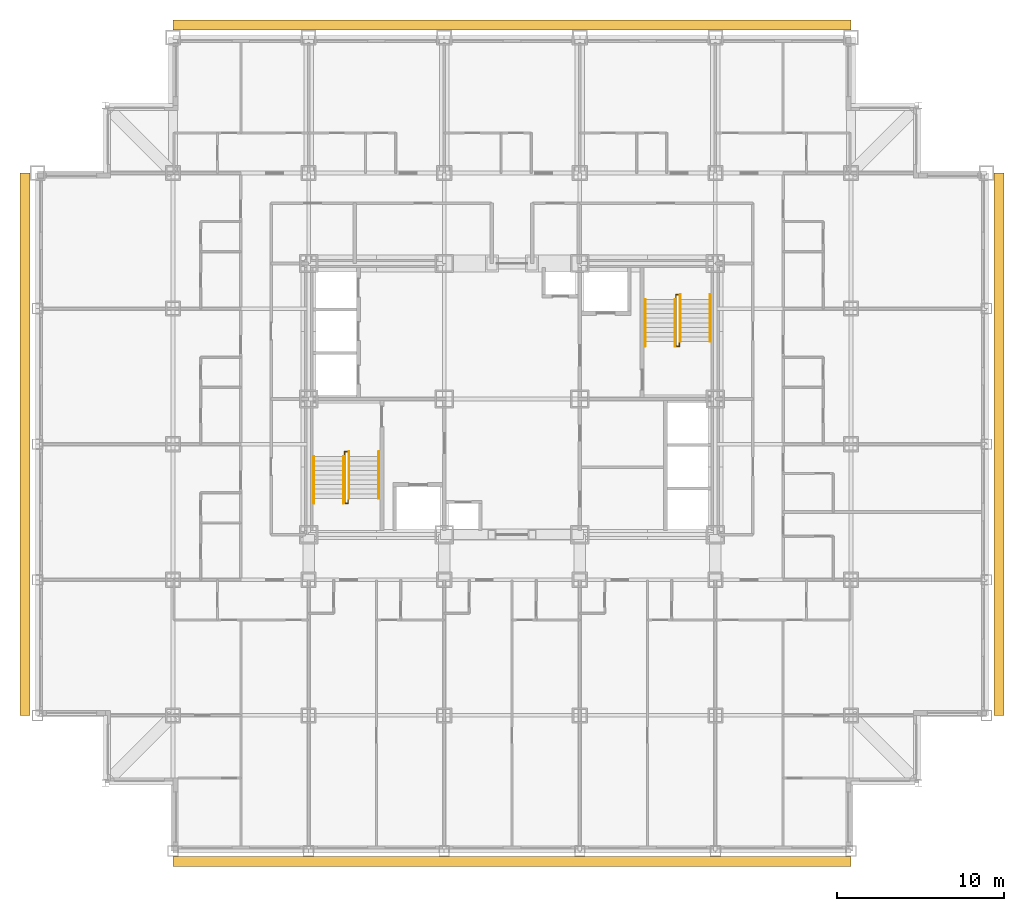
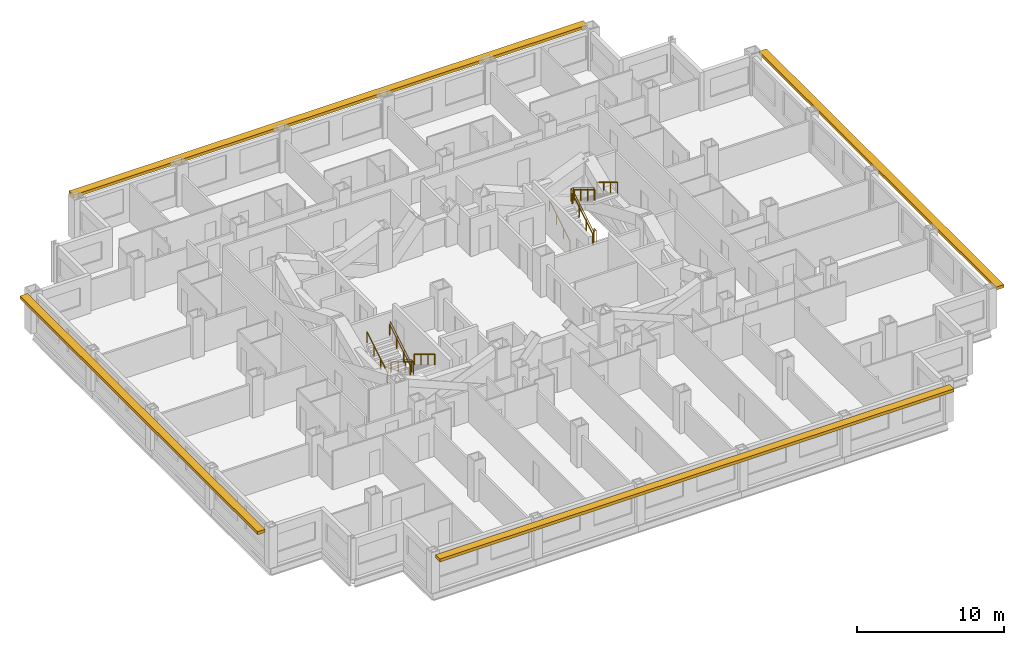
# One storey, part 12 of 12: 10 railings, 4 shading devices.
"""IFC4 building model written with IfcOpenShell, lengths in metres."""

from ifc_helpers import new_model, si_unit, direction, frame, origin, origin_2d, place, context, subcontext, project, spatial, rectangle, circle, extrude, material, type_object, element, save


model = new_model("IFC4")

# Units and contexts
model_context = context("Model", 3, precision=1e-05, world=origin(), true_north=direction((0.0, 1.0)))
body_context = subcontext(model_context, "Body", "Model", "MODEL_VIEW")
ifc_project = project(units=[si_unit("LENGTHUNIT", "METRE"), si_unit("AREAUNIT", "SQUARE_METRE"), si_unit("VOLUMEUNIT", "CUBIC_METRE"), si_unit("PLANEANGLEUNIT", "RADIAN"), si_unit("MASSUNIT", "GRAM", prefix="KILO")], contexts=[model_context])

# Site, building, storey
site_placement = place(None, origin())
site = spatial("IfcSite", under=ifc_project, at=site_placement, CompositionType="ELEMENT")
building_placement = place(site_placement, origin())
building = spatial("IfcBuilding", under=site, at=building_placement, Name="Kopane Lantern Tower", CompositionType="ELEMENT")
storey_placement = place(building_placement, frame((0.0, 0.0, 106.800048828125)))
storey = spatial("IfcBuildingStorey", under=building, at=storey_placement, Name="L26", CompositionType="ELEMENT", Elevation=106.800048828125)

# Railings
ifc_material_1 = material(Name="Steel", Category="steel")
railing_type_1 = type_object("IfcRailingType", Name="STAIR GUARD 1100", PredefinedType="GUARDRAIL", material=ifc_material_1)
railing_1_placement = place(storey_placement, frame((18.35009765625, 28.969970703125, 0.0)))
element("IfcRailing", 1, at=railing_1_placement, inside=storey, type_object=railing_type_1, Name="ST1 well guard L26", PredefinedType="GUARDRAIL", context=body_context, shape_type="SweptSolid", body=[
    extrude(circle(Radius=0.02392578125, at=origin_2d()), frame((0.0, 0.0, 1.076171875), z_axis=(0.0, 1.0, 0.0), x_axis=(-1.0, 0.0, 0.0)), (0.0, 0.0, 1.0), 0.280029296875),
    extrude(circle(Radius=0.02392578125, at=origin_2d()), frame((0.0, 0.280029296875, 1.076171875), z_axis=(1.0, 0.0, 0.0), x_axis=(0.0, 1.0, 0.0)), (0.0, 0.0, 1.0), 0.199951171875),
    extrude(circle(Radius=0.02392578125, at=origin_2d()), frame((0.199951171875, 0.280029296875, 1.076171875), z_axis=(0.0, -0.854798142509, 0.518960630071), x_axis=(1.0, 0.0, 0.0)), (0.0, 0.0, 1.0), 3.275634765625),
    extrude(circle(Radius=0.02392578125, at=origin_2d()), frame((0.199951171875, -2.52001953125, 2.77587890625), z_axis=(0.0, -1.0, 0.0), x_axis=(1.0, 0.0, 0.0)), (0.0, 0.0, 1.0), 0.280029296875),
    extrude(circle(Radius=0.02392578125, at=origin_2d()), frame((0.199951171875, -2.800048828125, 2.77587890625), z_axis=(-1.0, 0.0, 0.0), x_axis=(0.0, -1.0, 0.0)), (0.0, 0.0, 1.0), 0.199951171875),
    extrude(circle(Radius=0.02392578125, at=origin_2d()), frame((0.0, -2.800048828125, 2.77587890625), z_axis=(0.0, 0.854798142509, 0.518960630071), x_axis=(-1.0, 0.0, 0.0)), (0.0, 0.0, 1.0), 3.275634765625),
    extrude(circle(Radius=0.02099609375, at=origin_2d()), origin(), (0.0, 0.0, 1.0), 1.052001953125),
    extrude(circle(Radius=0.02099609375, at=origin_2d()), frame((0.0, 0.280029296875, 0.0)), (0.0, 0.0, 1.0), 1.052001953125),
    extrude(circle(Radius=0.02099609375, at=origin_2d()), frame((0.199951171875, 0.280029296875, 0.0)), (0.0, 0.0, 1.0), 1.052001953125),
    extrude(circle(Radius=0.02099609375, at=origin_2d()), frame((0.199951171875, -0.6533203125, 0.566650390625)), (0.0, 0.0, 1.0), 1.052001953125),
    extrude(circle(Radius=0.02099609375, at=origin_2d()), frame((0.199951171875, -1.586669921875, 1.13330078125)), (0.0, 0.0, 1.0), 1.052001953125),
    extrude(circle(Radius=0.02099609375, at=origin_2d()), frame((0.199951171875, -2.52001953125, 1.699951171875)), (0.0, 0.0, 1.0), 1.052001953125),
    extrude(circle(Radius=0.02099609375, at=origin_2d()), frame((0.199951171875, -2.800048828125, 1.699951171875)), (0.0, 0.0, 1.0), 1.052001953125),
    extrude(circle(Radius=0.02099609375, at=origin_2d()), frame((0.0, -2.800048828125, 1.699951171875)), (0.0, 0.0, 1.0), 1.052001953125),
    extrude(circle(Radius=0.02099609375, at=origin_2d()), frame((0.0, -1.86669921875, 2.2666015625)), (0.0, 0.0, 1.0), 1.052001953125),
    extrude(circle(Radius=0.02099609375, at=origin_2d()), frame((0.0, -0.933349609375, 2.833251953125)), (0.0, 0.0, 1.0), 1.052001953125),
    extrude(circle(Radius=0.02099609375, at=origin_2d()), frame((0.0, 0.0, 3.39990234375)), (0.0, 0.0, 1.0), 1.052001953125),
])
railing_2_placement = place(storey_placement, frame((38.35009765625, 35.830078125, 0.0)))
element("IfcRailing", 2, at=railing_2_placement, inside=storey, type_object=railing_type_1, Name="ST2 well guard L26", PredefinedType="GUARDRAIL", context=body_context, shape_type="SweptSolid", body=[
    extrude(circle(Radius=0.02392578125, at=origin_2d()), frame((0.0, 0.0, 1.076171875), z_axis=(0.0, -1.0, 0.0), x_axis=(1.0, 0.0, 0.0)), (0.0, 0.0, 1.0), 0.280029296875),
    extrude(circle(Radius=0.02392578125, at=origin_2d()), frame((0.0, -0.280029296875, 1.076171875), z_axis=(-1.0, 0.0, 0.0), x_axis=(0.0, -1.0, 0.0)), (0.0, 0.0, 1.0), 0.2001953125),
    extrude(circle(Radius=0.02392578125, at=origin_2d()), frame((-0.2001953125, -0.280029296875, 1.076171875), z_axis=(0.0, 0.854798142509, 0.518960630071), x_axis=(-1.0, 0.0, 0.0)), (0.0, 0.0, 1.0), 3.275634765625),
    extrude(circle(Radius=0.02392578125, at=origin_2d()), frame((-0.2001953125, 2.52001953125, 2.77587890625), z_axis=(0.0, 1.0, 0.0), x_axis=(-1.0, 0.0, 0.0)), (0.0, 0.0, 1.0), 0.27978515625),
    extrude(circle(Radius=0.02392578125, at=origin_2d()), frame((-0.2001953125, 2.7998046875, 2.77587890625), z_axis=(1.0, 0.0, 0.0), x_axis=(0.0, 1.0, 0.0)), (0.0, 0.0, 1.0), 0.2001953125),
    extrude(circle(Radius=0.02392578125, at=origin_2d()), frame((0.0, 2.7998046875, 2.77587890625), z_axis=(0.0, -0.854778067842, 0.518993694313), x_axis=(1.0, 0.0, 0.0)), (0.0, 0.0, 1.0), 3.275390625),
    extrude(circle(Radius=0.02099609375, at=origin_2d()), origin(), (0.0, 0.0, 1.0), 1.052001953125),
    extrude(circle(Radius=0.02099609375, at=origin_2d()), frame((0.0, -0.280029296875, 0.0)), (0.0, 0.0, 1.0), 1.052001953125),
    extrude(circle(Radius=0.02099609375, at=origin_2d()), frame((-0.2001953125, -0.280029296875, 0.0)), (0.0, 0.0, 1.0), 1.052001953125),
    extrude(circle(Radius=0.02099609375, at=origin_2d()), frame((-0.2001953125, 0.6533203125, 0.566650390625)), (0.0, 0.0, 1.0), 1.052001953125),
    extrude(circle(Radius=0.02099609375, at=origin_2d()), frame((-0.2001953125, 1.586669921875, 1.13330078125)), (0.0, 0.0, 1.0), 1.052001953125),
    extrude(circle(Radius=0.02099609375, at=origin_2d()), frame((-0.2001953125, 2.52001953125, 1.699951171875)), (0.0, 0.0, 1.0), 1.052001953125),
    extrude(circle(Radius=0.02099609375, at=origin_2d()), frame((-0.2001953125, 2.7998046875, 1.699951171875)), (0.0, 0.0, 1.0), 1.052001953125),
    extrude(circle(Radius=0.02099609375, at=origin_2d()), frame((0.0, 2.7998046875, 1.699951171875)), (0.0, 0.0, 1.0), 1.052001953125),
    extrude(circle(Radius=0.02099609375, at=origin_2d()), frame((0.0, 1.866455078125, 2.2666015625)), (0.0, 0.0, 1.0), 1.052001953125),
    extrude(circle(Radius=0.02099609375, at=origin_2d()), frame((0.0, 0.933349609375, 2.833251953125)), (0.0, 0.0, 1.0), 1.052001953125),
    extrude(circle(Radius=0.02099609375, at=origin_2d()), frame((0.0, 0.0, 3.39990234375)), (0.0, 0.0, 1.0), 1.052001953125),
])
ifc_material_2 = material(Name="Steel", Category="steel")
railing_type_2 = type_object("IfcRailingType", Name="STAIR HANDRAIL 900", PredefinedType="HANDRAIL", material=ifc_material_2)
for number, where, name in (
    (3, (20.389892578125, 29.25, 0.0), "ST1 handrail L26 flight 1"),
    (4, (18.610107421875, 29.25, 0.0), "ST1 handrail L26 flight 1"),
):
    element("IfcRailing", number, at=place(storey_placement, frame(where)), inside=storey, type_object=railing_type_2, Name=name, PredefinedType="HANDRAIL", context=body_context, shape_type="SweptSolid", body=[
        extrude(circle(Radius=0.02392578125, at=origin_2d()), frame((0.0, 0.0, 0.8759765625), z_axis=(0.0, -0.854798142509, 0.518960630071), x_axis=(1.0, 0.0, 0.0)), (0.0, 0.0, 1.0), 3.275634765625),
        extrude(circle(Radius=0.02099609375, at=origin_2d()), origin(), (0.0, 0.0, 1.0), 0.851806640625),
        extrude(circle(Radius=0.02099609375, at=origin_2d()), frame((0.0, -0.933349609375, 0.566650390625)), (0.0, 0.0, 1.0), 0.851806640625),
        extrude(circle(Radius=0.02099609375, at=origin_2d()), frame((0.0, -1.86669921875, 1.13330078125)), (0.0, 0.0, 1.0), 0.851806640625),
        extrude(circle(Radius=0.02099609375, at=origin_2d()), frame((0.0, -2.800048828125, 1.699951171875)), (0.0, 0.0, 1.0), 0.851806640625),
    ])
for number, where, name in (
    (5, (16.510009765625, 26.169921875, 1.699951171875), "ST1 handrail L26 flight 2"),
    (6, (18.2900390625, 26.169921875, 1.699951171875), "ST1 handrail L26 flight 2"),
    (7, (36.31005859375, 35.550048828125, 0.0), "ST2 handrail L26 flight 1"),
    (8, (38.090087890625, 35.550048828125, 0.0), "ST2 handrail L26 flight 1"),
):
    element("IfcRailing", number, at=place(storey_placement, frame(where)), inside=storey, type_object=railing_type_2, Name=name, PredefinedType="HANDRAIL", context=body_context, shape_type="SweptSolid", body=[
        extrude(circle(Radius=0.02392578125, at=origin_2d()), frame((0.0, 0.0, 0.8759765625), z_axis=(0.0, 0.854798142509, 0.518960630071), x_axis=(-1.0, 0.0, 0.0)), (0.0, 0.0, 1.0), 3.275634765625),
        extrude(circle(Radius=0.02099609375, at=origin_2d()), origin(), (0.0, 0.0, 1.0), 0.851806640625),
        extrude(circle(Radius=0.02099609375, at=origin_2d()), frame((0.0, 0.933349609375, 0.566650390625)), (0.0, 0.0, 1.0), 0.851806640625),
        extrude(circle(Radius=0.02099609375, at=origin_2d()), frame((0.0, 1.86669921875, 1.13330078125)), (0.0, 0.0, 1.0), 0.851806640625),
        extrude(circle(Radius=0.02099609375, at=origin_2d()), frame((0.0, 2.800048828125, 1.699951171875)), (0.0, 0.0, 1.0), 0.851806640625),
    ])
for number, where, name in (
    (9, (40.18994140625, 38.6298828125, 1.699951171875), "ST2 handrail L26 flight 2"),
    (10, (38.409912109375, 38.6298828125, 1.699951171875), "ST2 handrail L26 flight 2"),
):
    element("IfcRailing", number, at=place(storey_placement, frame(where)), inside=storey, type_object=railing_type_2, Name=name, PredefinedType="HANDRAIL", context=body_context, shape_type="SweptSolid", body=[
        extrude(circle(Radius=0.02392578125, at=origin_2d()), frame((0.0, 0.0, 0.8759765625), z_axis=(0.0, -0.854778067842, 0.518993694313), x_axis=(1.0, 0.0, 0.0)), (0.0, 0.0, 1.0), 3.275390625),
        extrude(circle(Radius=0.02099609375, at=origin_2d()), origin(), (0.0, 0.0, 1.0), 0.851806640625),
        extrude(circle(Radius=0.02099609375, at=origin_2d()), frame((0.0, -0.933349609375, 0.566650390625)), (0.0, 0.0, 1.0), 0.851806640625),
        extrude(circle(Radius=0.02099609375, at=origin_2d()), frame((0.0, -1.866455078125, 1.13330078125)), (0.0, 0.0, 1.0), 0.851806640625),
        extrude(circle(Radius=0.02099609375, at=origin_2d()), frame((0.0, -2.7998046875, 1.699951171875)), (0.0, 0.0, 1.0), 0.851806640625),
    ])

# Shading devices
ifc_material_3 = material(Name="Terracotta rainscreen on light steel framing", Category="masonry")
shading_device_type = type_object("IfcShadingDeviceType", Name="SUNSHADE BAND SB1 600 TERRACOTTA", PredefinedType="USERDEFINED", material=ifc_material_3)
shading_device_1_placement = place(storey_placement, frame((28.35009765625, 4.77490234375, 2.89990234375), z_axis=(0.0, 0.0, 1.0), x_axis=(1.0, 0.0, 0.0)))
element("IfcShadingDevice", 11, at=shading_device_1_placement, inside=storey, type_object=shading_device_type, Name="Sunshade band S L26", ObjectType="SUNSHADE BAND", PredefinedType="USERDEFINED", context=body_context, shape_type="SweptSolid", body=[
    extrude(rectangle(XDim=40.5, YDim=0.60009765625, at=origin_2d()), origin(), (0.0, 0.0, 1.0), 0.25),
])
shading_device_2_placement = place(storey_placement, frame((57.449951171875, 29.699951171875, 2.89990234375), z_axis=(0.0, 0.0, 1.0), x_axis=(0.0, 1.0, 0.0)))
element("IfcShadingDevice", 12, at=shading_device_2_placement, inside=storey, type_object=shading_device_type, Name="Sunshade band E L26", ObjectType="SUNSHADE BAND", PredefinedType="USERDEFINED", context=body_context, shape_type="SweptSolid", body=[
    extrude(rectangle(XDim=32.39990234375, YDim=0.60009765625, at=origin_2d()), origin(), (0.0, 0.0, 1.0), 0.25),
])
shading_device_3_placement = place(storey_placement, frame((28.35009765625, 54.75, 2.89990234375), z_axis=(0.0, 0.0, 1.0), x_axis=(-1.0, 0.0, 0.0)))
element("IfcShadingDevice", 13, at=shading_device_3_placement, inside=storey, type_object=shading_device_type, Name="Sunshade band N L26", ObjectType="SUNSHADE BAND", PredefinedType="USERDEFINED", context=body_context, shape_type="SweptSolid", body=[
    extrude(rectangle(XDim=40.5, YDim=0.60009765625, at=origin_2d()), origin(), (0.0, 0.0, 1.0), 0.25),
])
shading_device_4_placement = place(storey_placement, frame((-0.75, 29.699951171875, 2.89990234375), z_axis=(0.0, 0.0, 1.0), x_axis=(0.0, -1.0, 0.0)))
element("IfcShadingDevice", 14, at=shading_device_4_placement, inside=storey, type_object=shading_device_type, Name="Sunshade band W L26", ObjectType="SUNSHADE BAND", PredefinedType="USERDEFINED", context=body_context, shape_type="SweptSolid", body=[
    extrude(rectangle(XDim=32.39990234375, YDim=0.60009765625, at=origin_2d()), origin(), (0.0, 0.0, 1.0), 0.25),
])

save(model, "model.ifc")
